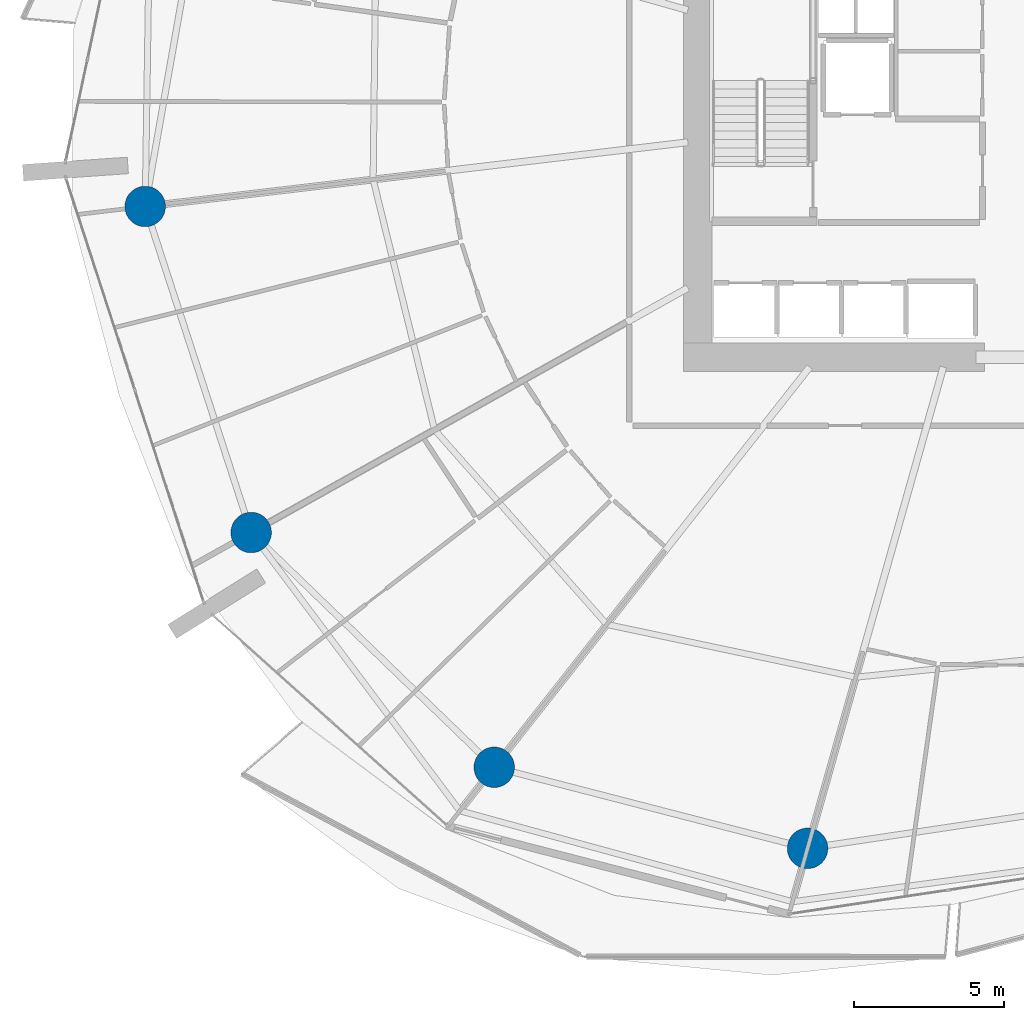
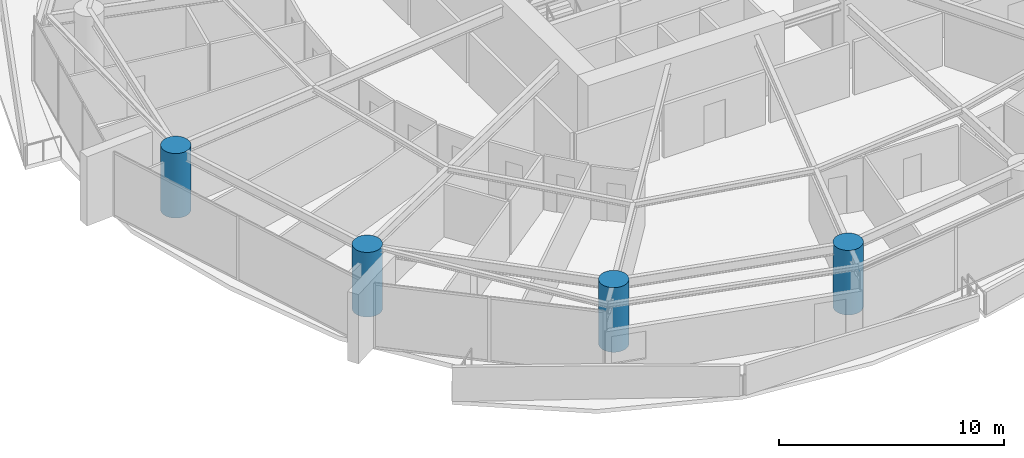
# One storey, part 1 of 31: 4 columns.
"""IFC4 building model written with IfcOpenShell, lengths in metres."""

from ifc_helpers import new_model, si_unit, direction, frame, origin, origin_2d, place, context, subcontext, project, spatial, circle, extrude, material, material_profile, profile_set, type_object, element, save


model = new_model("IFC4")

# Units and contexts
model_context = context("Model", 3, precision=1e-05, world=origin(), true_north=direction((0.0, 1.0)))
body_context = subcontext(model_context, "Body", "Model", "MODEL_VIEW")
ifc_project = project(units=[si_unit("LENGTHUNIT", "METRE"), si_unit("AREAUNIT", "SQUARE_METRE"), si_unit("VOLUMEUNIT", "CUBIC_METRE"), si_unit("PLANEANGLEUNIT", "RADIAN"), si_unit("MASSUNIT", "GRAM", prefix="KILO")], contexts=[model_context])

# Site, building, storey
site_placement = place(None, origin())
site = spatial("IfcSite", under=ifc_project, at=site_placement, CompositionType="ELEMENT")
building_placement = place(site_placement, origin())
building = spatial("IfcBuilding", under=site, at=building_placement, Name="Kazma Halo Residences", CompositionType="ELEMENT")
storey_placement = place(building_placement, frame((0.0, 0.0, 60.14990234375)))
storey = spatial("IfcBuildingStorey", under=building, at=storey_placement, Name="L14", CompositionType="ELEMENT", Elevation=60.14990234375)

# Columns
ifc_material = material(Name="Concrete C80/95", Category="concrete")
ifc_material_profile = material_profile(ifc_material, circle(Radius=0.675048828125, at=origin_2d()), Name="CIRC1350")
ifc_profile_set = profile_set([ifc_material_profile], Name="Concrete C80/95")
column_type = type_object("IfcColumnType", Name="COL-PERIM-1350", PredefinedType="COLUMN", material=ifc_profile_set)
for number, where, z_axis, x_axis, name in (
    (1, (18.902099609375, 38.555908203125, 0.0), (0.0, 0.0, 1.0), (1.0, 0.0, 0.0), "L14 perimeter ring column P08"),
    (2, (22.43505859375, 27.682861328125, 0.0), (0.0, 0.0, 1.0), (1.0, 0.0, 0.0), "L14 perimeter ring column P09"),
    (3, (30.541748046875, 19.854248046875, 0.0), (0.0, 0.0, 1.0), (1.0, 0.0, 0.0), "L14 perimeter ring column P10"),
    (4, (40.99169921875, 17.150634765625, 0.0), (0.0, 0.0, 1.0), (1.0, 0.0, 0.0), "L14 perimeter ring column P11"),
):
    element("IfcColumn", number, at=place(storey_placement, frame(where, z_axis=z_axis, x_axis=x_axis)), inside=storey, type_object=column_type, Name=name, PredefinedType="COLUMN", context=body_context, shape_type="SweptSolid", body=[
        extrude(circle(Radius=0.675048828125, at=origin_2d()), origin(), (0.0, 0.0, 1.0), 3.5),
    ])

save(model, "model.ifc")
